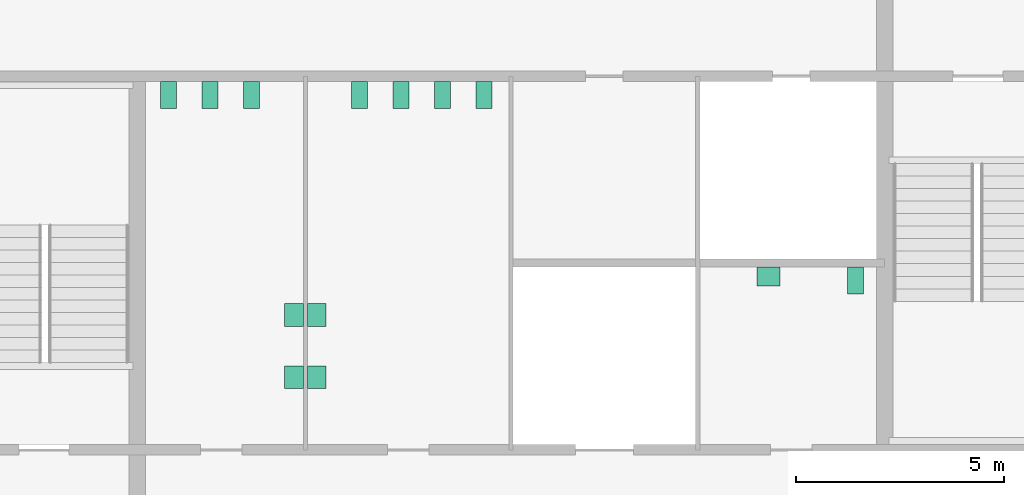
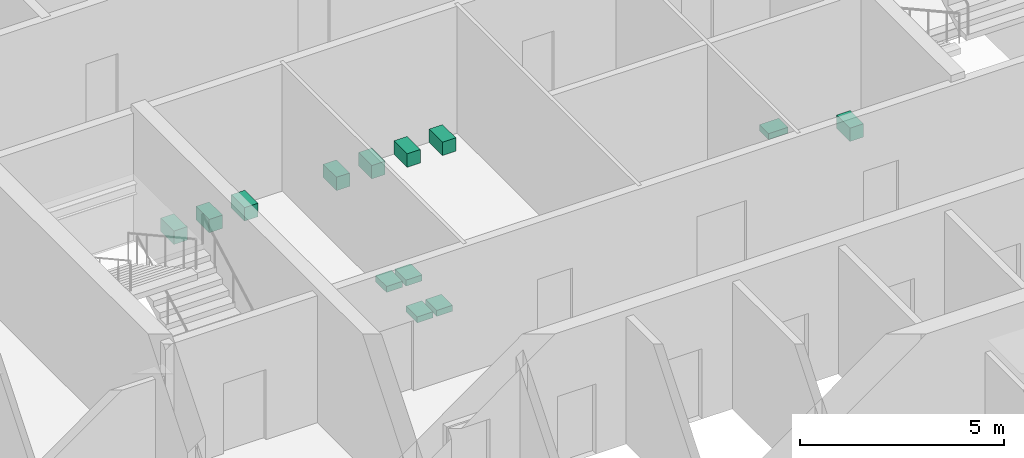
# One storey, part 13 of 13: 13 sanitary terminals.
"""IFC4 building model written with IfcOpenShell, lengths in metres."""

from ifc_helpers import new_model, si_unit, direction, frame, origin, origin_2d, place, context, subcontext, project, spatial, rectangle, extrude, material, type_object, element, save


model = new_model("IFC4")

# Units and contexts
model_context = context("Model", 3, precision=1e-05, world=origin(), true_north=direction((0.0, 1.0)))
body_context = subcontext(model_context, "Body", "Model", "MODEL_VIEW")
ifc_project = project(units=[si_unit("LENGTHUNIT", "METRE"), si_unit("AREAUNIT", "SQUARE_METRE"), si_unit("VOLUMEUNIT", "CUBIC_METRE"), si_unit("PLANEANGLEUNIT", "RADIAN"), si_unit("MASSUNIT", "GRAM", prefix="KILO")], contexts=[model_context])

# Site, building, storey
site_placement = place(None, origin())
site = spatial("IfcSite", under=ifc_project, at=site_placement, CompositionType="ELEMENT")
building_placement = place(site_placement, origin())
building = spatial("IfcBuilding", under=site, at=building_placement, Name="Corais Broadcast Tower", CompositionType="ELEMENT")
storey_placement = place(building_placement, frame((0.0, 0.0, 195.60009765625)))
storey = spatial("IfcBuildingStorey", under=building, at=storey_placement, Name="L45", CompositionType="ELEMENT", Elevation=195.60009765625)

# Sanitary terminals
ifc_material_1 = material(Name="Vitreous china", Category="ceramic")
sanitary_terminal_type_1 = type_object("IfcSanitaryTerminalType", Name="WC pan 380x650", PredefinedType="TOILETPAN", material=ifc_material_1)
for number, where, z_axis, x_axis, name in (
    (1, (18.75, 31.050048828125, 0.0), (0.0, 0.0, 1.0), (1.0, 0.0, 0.0), "SW1 WC pan, male toilets L45"),
    (2, (19.75, 31.050048828125, 0.0), (0.0, 0.0, 1.0), (1.0, 0.0, 0.0), "SW1 WC pan, male toilets L45"),
    (3, (20.75, 31.050048828125, 0.0), (0.0, 0.0, 1.0), (1.0, 0.0, 0.0), "SW1 WC pan, male toilets L45"),
    (4, (23.35009765625, 31.050048828125, 0.0), (0.0, 0.0, 1.0), (1.0, 0.0, 0.0), "SW1 WC pan, female toilets L45"),
    (5, (24.35009765625, 31.050048828125, 0.0), (0.0, 0.0, 1.0), (1.0, 0.0, 0.0), "SW1 WC pan, female toilets L45"),
    (6, (25.35009765625, 31.050048828125, 0.0), (0.0, 0.0, 1.0), (1.0, 0.0, 0.0), "SW1 WC pan, female toilets L45"),
    (7, (26.35009765625, 31.050048828125, 0.0), (0.0, 0.0, 1.0), (1.0, 0.0, 0.0), "SW1 WC pan, female toilets L45"),
    (8, (35.300048828125, 26.574951171875, 0.0), (0.0, 0.0, 1.0), (1.0, 0.0, 0.0), "SW1 WC pan, accessible WC L45"),
):
    element("IfcSanitaryTerminal", number, at=place(storey_placement, frame(where, z_axis=z_axis, x_axis=x_axis)), inside=storey, type_object=sanitary_terminal_type_1, Name=name, PredefinedType="TOILETPAN", context=body_context, shape_type="SweptSolid", body=[
        extrude(rectangle(XDim=0.3798828125, YDim=0.64990234375, at=origin_2d()), origin(), (0.0, 0.0, 1.0), 0.39990234375),
    ])
ifc_material_2 = material(Name="Vitreous china", Category="ceramic")
sanitary_terminal_type_2 = type_object("IfcSanitaryTerminalType", Name="Wash basin 550x450", PredefinedType="WASHHANDBASIN", material=ifc_material_2)
for number, where, z_axis, x_axis, name in (
    (9, (21.77490234375, 24.25, 0.69970703125), (0.0, 0.0, 1.0), (1.0, 0.0, 0.0), "WB1 wash basin, male toilets L45"),
    (10, (21.77490234375, 25.75, 0.69970703125), (0.0, 0.0, 1.0), (1.0, 0.0, 0.0), "WB1 wash basin, male toilets L45"),
    (11, (22.324951171875, 24.25, 0.69970703125), (0.0, 0.0, 1.0), (1.0, 0.0, 0.0), "WB1 wash basin, female toilets L45"),
    (12, (22.324951171875, 25.75, 0.69970703125), (0.0, 0.0, 1.0), (1.0, 0.0, 0.0), "WB1 wash basin, female toilets L45"),
):
    element("IfcSanitaryTerminal", number, at=place(storey_placement, frame(where, z_axis=z_axis, x_axis=x_axis)), inside=storey, type_object=sanitary_terminal_type_2, Name=name, PredefinedType="WASHHANDBASIN", context=body_context, shape_type="SweptSolid", body=[
        extrude(rectangle(XDim=0.449951171875, YDim=0.550048828125, at=origin_2d()), origin(), (0.0, 0.0, 1.0), 0.179931640625),
    ])
sanitary_terminal_placement = place(storey_placement, frame((33.199951171875, 26.675048828125, 0.69970703125), z_axis=(0.0, 0.0, 1.0), x_axis=(1.0, 0.0, 0.0)))
element("IfcSanitaryTerminal", 13, at=sanitary_terminal_placement, inside=storey, type_object=sanitary_terminal_type_2, Name="WB1 wash basin, accessible WC L45", PredefinedType="WASHHANDBASIN", context=body_context, shape_type="SweptSolid", body=[
    extrude(rectangle(XDim=0.550048828125, YDim=0.449951171875, at=origin_2d()), origin(), (0.0, 0.0, 1.0), 0.179931640625),
])

save(model, "model.ifc")
